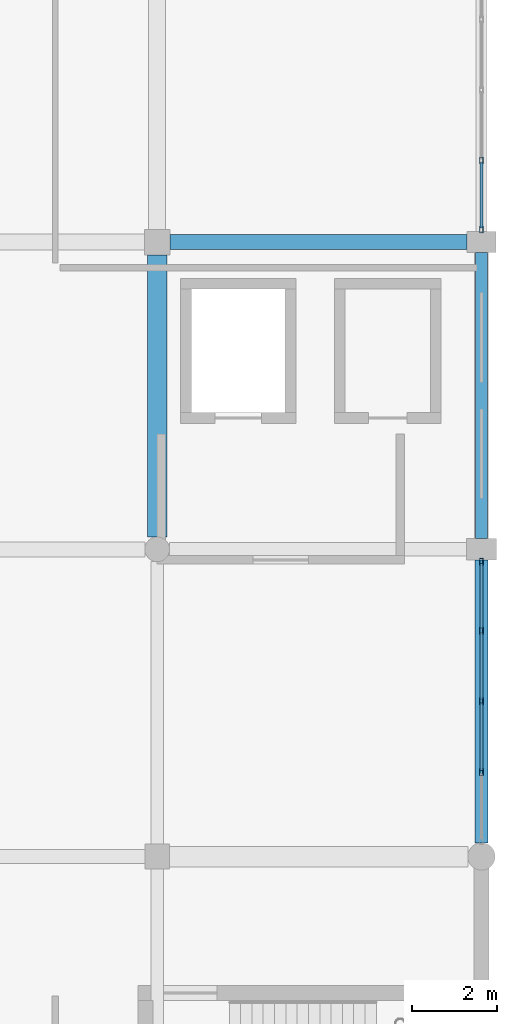
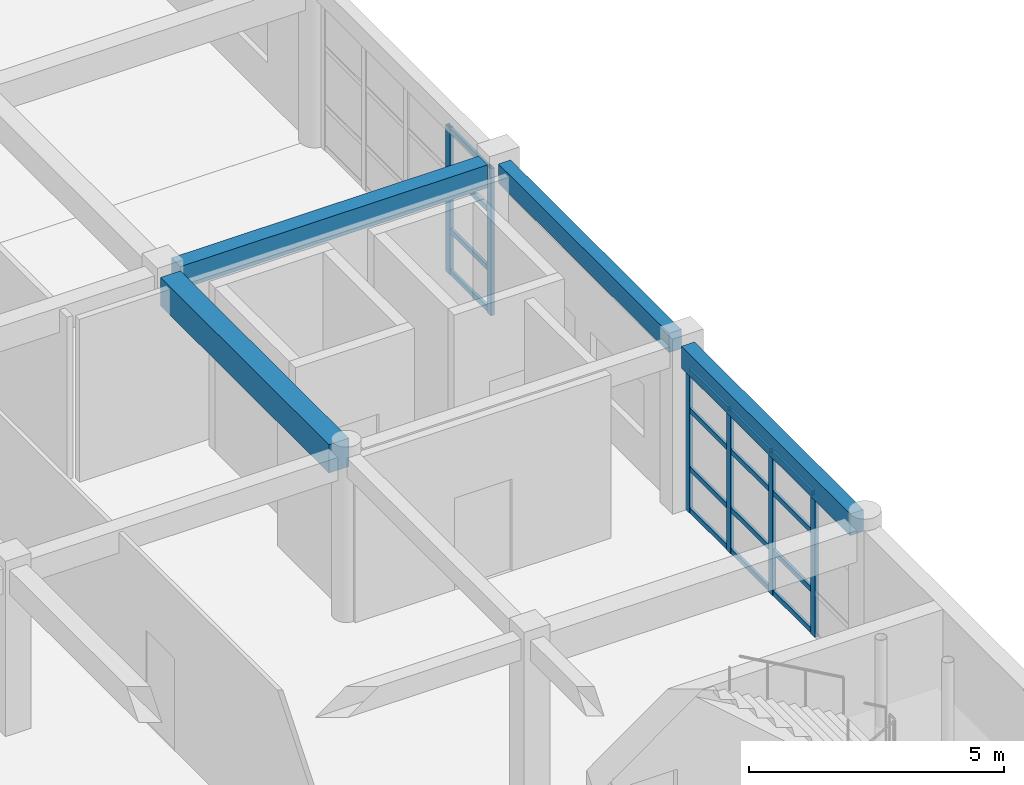
# One storey, part 81 of 121: 22 members, 4 beams, 2 elements without a shape of their own.
"""IFC4 building model written with IfcOpenShell, lengths in metres."""

from ifc_helpers import new_model, si_unit, direction, frame, origin, origin_2d, place, context, subcontext, project, spatial, rectangle, hollow_rectangle, extrude, material, material_profile, profile_set, type_object, element, aggregate, save


model = new_model("IFC4")

# Units and contexts
model_context = context("Model", 3, precision=1e-05, world=origin(), true_north=direction((0.0, 1.0)))
body_context = subcontext(model_context, "Body", "Model", "MODEL_VIEW")
ifc_project = project(units=[si_unit("LENGTHUNIT", "METRE"), si_unit("AREAUNIT", "SQUARE_METRE"), si_unit("VOLUMEUNIT", "CUBIC_METRE"), si_unit("PLANEANGLEUNIT", "RADIAN"), si_unit("MASSUNIT", "GRAM", prefix="KILO")], contexts=[model_context])

# Site, building, storey
site_placement = place(None, origin())
site = spatial("IfcSite", under=ifc_project, at=site_placement, CompositionType="ELEMENT")
building_placement = place(site_placement, origin())
building = spatial("IfcBuilding", under=site, at=building_placement, Name="Kharva Crest Polytechnic", CompositionType="ELEMENT")
storey_placement = place(building_placement, frame((0.0, 0.0, 13.199951171875)))
storey = spatial("IfcBuildingStorey", under=building, at=storey_placement, Name="L03", CompositionType="ELEMENT", Elevation=13.199951171875)

# Beams
ifc_material_1 = material(Name="Concrete C35/45", Category="concrete")
ifc_material_profile_1 = material_profile(ifc_material_1, rectangle(XDim=0.35009765625, YDim=0.550048828125, at=origin_2d()), Name="RECT 350 X 550")
ifc_profile_set_1 = profile_set([ifc_material_profile_1], Name="Concrete C35/45")
beam_type_1 = type_object("IfcBeamType", Name="BM-RC-350X550", PredefinedType="BEAM", material=ifc_profile_set_1)
beam_1_placement = place(storey_placement, frame((176.699951171875, 93.199951171875, 3.68505859375), z_axis=(1.0, 0.0, 0.0), x_axis=(0.0, 1.0, 0.0)))
element("IfcBeam", 1, at=beam_1_placement, inside=storey, type_object=beam_type_1, Name="L03 Beam N/23-24", PredefinedType="BEAM", context=body_context, shape_type="SweptSolid", body=[
    extrude(rectangle(XDim=0.35009765625, YDim=0.550048828125, at=origin_2d()), origin(), (0.0, 0.0, 1.0), 6.9599609375),
])
ifc_material_profile_2 = material_profile(ifc_material_1, rectangle(XDim=0.449951171875, YDim=0.679931640625, at=origin_2d()), Name="RECT 450 X 680")
ifc_profile_set_2 = profile_set([ifc_material_profile_2], Name="Concrete C35/45")
beam_type_2 = type_object("IfcBeamType", Name="BM-RC-450X680", PredefinedType="BEAM", material=ifc_profile_set_2)
beam_2_placement = place(storey_placement, frame((176.39990234375, 86.2900390625, 3.6201171875), z_axis=(0.0, 1.0, 0.0), x_axis=(-1.0, 0.0, 0.0)))
element("IfcBeam", 2, at=beam_2_placement, inside=storey, type_object=beam_type_2, Name="L03 Girder 23/M-N", PredefinedType="BEAM", context=body_context, shape_type="SweptSolid", body=[
    extrude(rectangle(XDim=0.449951171875, YDim=0.679931640625, at=origin_2d()), origin(), (0.0, 0.0, 1.0), 6.60986328125),
])

# Curtain wall, members
ifc_material_2 = material(Name="Tempered insulated glass", Category="glass")
curtain_wall_type = type_object("IfcCurtainWallType", Name="CW-SYS-COURT", PredefinedType="USERDEFINED", material=ifc_material_2)
curtain_wall_1_placement = place(storey_placement, origin())
curtain_wall_1 = element("IfcCurtainWall", 3, at=curtain_wall_1_placement, inside=storey, type_object=curtain_wall_type, Name="L03 Glazed Curtain Wall CW-151", ObjectType="CURTAIN WALL", PredefinedType="USERDEFINED")
ifc_material_3 = material(Name="Steel S355", Category="steel")
ifc_material_profile_3 = material_profile(ifc_material_3, hollow_rectangle(XDim=0.080078125, YDim=0.159912109375, WallThickness=0.0048828125, at=origin_2d()), Name="RHS 160X80X5.0")
ifc_profile_set_3 = profile_set([ifc_material_profile_3], Name="Steel S355")
member_type_1 = type_object("IfcMemberType", Name="CWM-RHS160X80", PredefinedType="MULLION", material=ifc_profile_set_3)
member_1_placement = place(storey_placement, frame((184.0, 80.780029296875, 0.0), z_axis=(0.0, 0.0, 1.0), x_axis=(-1.0, 0.0, 0.0)))
member_1 = element("IfcMember", 4, at=member_1_placement, type_object=member_type_1, Name="CW-151 mullion 2", PredefinedType="MULLION", context=body_context, shape_type="SweptSolid", body=[
    extrude(hollow_rectangle(XDim=0.080078125, YDim=0.159912109375, WallThickness=0.0048828125, at=origin_2d()), origin(), (0.0, 0.0, 1.0), 3.43994140625),
])
member_2_placement = place(storey_placement, frame((184.0, 82.43505859375, 0.0), z_axis=(0.0, 0.0, 1.0), x_axis=(-1.0, 0.0, 0.0)))
member_2 = element("IfcMember", 5, at=member_2_placement, type_object=member_type_1, Name="CW-151 mullion 3", PredefinedType="MULLION", context=body_context, shape_type="SweptSolid", body=[
    extrude(hollow_rectangle(XDim=0.080078125, YDim=0.159912109375, WallThickness=0.0048828125, at=origin_2d()), origin(), (0.0, 0.0, 1.0), 3.43994140625),
])
member_3_placement = place(storey_placement, frame((184.0, 84.090087890625, 0.0), z_axis=(0.0, 0.0, 1.0), x_axis=(-1.0, 0.0, 0.0)))
member_3 = element("IfcMember", 6, at=member_3_placement, type_object=member_type_1, Name="CW-151 mullion 4", PredefinedType="MULLION", context=body_context, shape_type="SweptSolid", body=[
    extrude(hollow_rectangle(XDim=0.080078125, YDim=0.159912109375, WallThickness=0.0048828125, at=origin_2d()), origin(), (0.0, 0.0, 1.0), 3.43994140625),
])
member_4_placement = place(storey_placement, frame((184.0, 85.705078125, 0.0), z_axis=(0.0, 0.0, 1.0), x_axis=(-1.0, 0.0, 0.0)))
member_4 = element("IfcMember", 7, at=member_4_placement, type_object=member_type_1, Name="CW-151 mullion 5", PredefinedType="MULLION", context=body_context, shape_type="SweptSolid", body=[
    extrude(hollow_rectangle(XDim=0.080078125, YDim=0.159912109375, WallThickness=0.0048828125, at=origin_2d()), origin(), (0.0, 0.0, 1.0), 3.43994140625),
])

curtain_wall_2_placement = place(storey_placement, origin())
curtain_wall_2 = element("IfcCurtainWall", 8, at=curtain_wall_2_placement, inside=storey, type_object=curtain_wall_type, Name="L03 Glazed Curtain Wall CW-152", ObjectType="CURTAIN WALL", PredefinedType="USERDEFINED")
member_5_placement = place(storey_placement, frame((184.0, 93.4951171875, 0.0), z_axis=(0.0, 0.0, 1.0), x_axis=(-1.0, 0.0, 0.0)))
member_5 = element("IfcMember", 9, at=member_5_placement, type_object=member_type_1, Name="CW-152 mullion 1", PredefinedType="MULLION", context=body_context, shape_type="SweptSolid", body=[
    extrude(hollow_rectangle(XDim=0.080078125, YDim=0.159912109375, WallThickness=0.0048828125, at=origin_2d()), origin(), (0.0, 0.0, 1.0), 3.52001953125),
])
member_6_placement = place(storey_placement, frame((184.0, 95.110107421875, 0.0), z_axis=(0.0, 0.0, 1.0), x_axis=(-1.0, 0.0, 0.0)))
member_6 = element("IfcMember", 10, at=member_6_placement, type_object=member_type_1, Name="CW-152 mullion 2", PredefinedType="MULLION", context=body_context, shape_type="SweptSolid", body=[
    extrude(hollow_rectangle(XDim=0.080078125, YDim=0.159912109375, WallThickness=0.0048828125, at=origin_2d()), origin(), (0.0, 0.0, 1.0), 3.52001953125),
])

# Member
ifc_material_profile_4 = material_profile(ifc_material_3, hollow_rectangle(XDim=0.06005859375, YDim=0.1201171875, WallThickness=0.00390625, at=origin_2d()), Name="RHS 120X60X4.0")
ifc_profile_set_4 = profile_set([ifc_material_profile_4], Name="Steel S355")
member_type_2 = type_object("IfcMemberType", Name="CWT-RHS120X60", PredefinedType="USERDEFINED", material=ifc_profile_set_4)
member_7_placement = place(storey_placement, frame((184.0, 80.820068359375, 0.06005859375), z_axis=(0.0, 1.0, 0.0), x_axis=(-1.0, 0.0, 0.0)))
member_7 = element("IfcMember", 11, at=member_7_placement, type_object=member_type_2, Name="CW-151 transom 2.1", ObjectType="TRANSOM", PredefinedType="USERDEFINED", context=body_context, shape_type="SweptSolid", body=[
    extrude(hollow_rectangle(XDim=0.06005859375, YDim=0.1201171875, WallThickness=0.00390625, at=origin_2d()), origin(), (0.0, 0.0, 1.0), 1.574951171875),
])

member_8_placement = place(storey_placement, frame((184.0, 80.820068359375, 1.050048828125), z_axis=(0.0, 1.0, 0.0), x_axis=(-1.0, 0.0, 0.0)))
member_8 = element("IfcMember", 12, at=member_8_placement, type_object=member_type_2, Name="CW-151 transom 2.2", ObjectType="TRANSOM", PredefinedType="USERDEFINED", context=body_context, shape_type="SweptSolid", body=[
    extrude(hollow_rectangle(XDim=0.06005859375, YDim=0.1201171875, WallThickness=0.00390625, at=origin_2d()), origin(), (0.0, 0.0, 1.0), 1.574951171875),
])

member_9_placement = place(storey_placement, frame((184.0, 80.820068359375, 2.449951171875), z_axis=(0.0, 1.0, 0.0), x_axis=(-1.0, 0.0, 0.0)))
member_9 = element("IfcMember", 13, at=member_9_placement, type_object=member_type_2, Name="CW-151 transom 2.3", ObjectType="TRANSOM", PredefinedType="USERDEFINED", context=body_context, shape_type="SweptSolid", body=[
    extrude(hollow_rectangle(XDim=0.06005859375, YDim=0.1201171875, WallThickness=0.00390625, at=origin_2d()), origin(), (0.0, 0.0, 1.0), 1.574951171875),
])

member_10_placement = place(storey_placement, frame((184.0, 80.820068359375, 3.380126953125), z_axis=(0.0, 1.0, 0.0), x_axis=(-1.0, 0.0, 0.0)))
member_10 = element("IfcMember", 14, at=member_10_placement, type_object=member_type_2, Name="CW-151 transom 2.4", ObjectType="TRANSOM", PredefinedType="USERDEFINED", context=body_context, shape_type="SweptSolid", body=[
    extrude(hollow_rectangle(XDim=0.06005859375, YDim=0.1201171875, WallThickness=0.00390625, at=origin_2d()), origin(), (0.0, 0.0, 1.0), 1.574951171875),
])

member_11_placement = place(storey_placement, frame((184.0, 82.47509765625, 0.06005859375), z_axis=(0.0, 1.0, 0.0), x_axis=(-1.0, 0.0, 0.0)))
member_11 = element("IfcMember", 15, at=member_11_placement, type_object=member_type_2, Name="CW-151 transom 3.1", ObjectType="TRANSOM", PredefinedType="USERDEFINED", context=body_context, shape_type="SweptSolid", body=[
    extrude(hollow_rectangle(XDim=0.06005859375, YDim=0.1201171875, WallThickness=0.00390625, at=origin_2d()), origin(), (0.0, 0.0, 1.0), 1.574951171875),
])

member_12_placement = place(storey_placement, frame((184.0, 82.47509765625, 1.050048828125), z_axis=(0.0, 1.0, 0.0), x_axis=(-1.0, 0.0, 0.0)))
member_12 = element("IfcMember", 16, at=member_12_placement, type_object=member_type_2, Name="CW-151 transom 3.2", ObjectType="TRANSOM", PredefinedType="USERDEFINED", context=body_context, shape_type="SweptSolid", body=[
    extrude(hollow_rectangle(XDim=0.06005859375, YDim=0.1201171875, WallThickness=0.00390625, at=origin_2d()), origin(), (0.0, 0.0, 1.0), 1.574951171875),
])

member_13_placement = place(storey_placement, frame((184.0, 82.47509765625, 2.449951171875), z_axis=(0.0, 1.0, 0.0), x_axis=(-1.0, 0.0, 0.0)))
member_13 = element("IfcMember", 17, at=member_13_placement, type_object=member_type_2, Name="CW-151 transom 3.3", ObjectType="TRANSOM", PredefinedType="USERDEFINED", context=body_context, shape_type="SweptSolid", body=[
    extrude(hollow_rectangle(XDim=0.06005859375, YDim=0.1201171875, WallThickness=0.00390625, at=origin_2d()), origin(), (0.0, 0.0, 1.0), 1.574951171875),
])

member_14_placement = place(storey_placement, frame((184.0, 82.47509765625, 3.380126953125), z_axis=(0.0, 1.0, 0.0), x_axis=(-1.0, 0.0, 0.0)))
member_14 = element("IfcMember", 18, at=member_14_placement, type_object=member_type_2, Name="CW-151 transom 3.4", ObjectType="TRANSOM", PredefinedType="USERDEFINED", context=body_context, shape_type="SweptSolid", body=[
    extrude(hollow_rectangle(XDim=0.06005859375, YDim=0.1201171875, WallThickness=0.00390625, at=origin_2d()), origin(), (0.0, 0.0, 1.0), 1.574951171875),
])

member_15_placement = place(storey_placement, frame((184.0, 84.1298828125, 0.06005859375), z_axis=(0.0, 1.0, 0.0), x_axis=(-1.0, 0.0, 0.0)))
member_15 = element("IfcMember", 19, at=member_15_placement, type_object=member_type_2, Name="CW-151 transom 4.1", ObjectType="TRANSOM", PredefinedType="USERDEFINED", context=body_context, shape_type="SweptSolid", body=[
    extrude(hollow_rectangle(XDim=0.06005859375, YDim=0.1201171875, WallThickness=0.00390625, at=origin_2d()), origin(), (0.0, 0.0, 1.0), 1.53515625),
])

member_16_placement = place(storey_placement, frame((184.0, 84.1298828125, 1.050048828125), z_axis=(0.0, 1.0, 0.0), x_axis=(-1.0, 0.0, 0.0)))
member_16 = element("IfcMember", 20, at=member_16_placement, type_object=member_type_2, Name="CW-151 transom 4.2", ObjectType="TRANSOM", PredefinedType="USERDEFINED", context=body_context, shape_type="SweptSolid", body=[
    extrude(hollow_rectangle(XDim=0.06005859375, YDim=0.1201171875, WallThickness=0.00390625, at=origin_2d()), origin(), (0.0, 0.0, 1.0), 1.53515625),
])

member_17_placement = place(storey_placement, frame((184.0, 84.1298828125, 2.449951171875), z_axis=(0.0, 1.0, 0.0), x_axis=(-1.0, 0.0, 0.0)))
member_17 = element("IfcMember", 21, at=member_17_placement, type_object=member_type_2, Name="CW-151 transom 4.3", ObjectType="TRANSOM", PredefinedType="USERDEFINED", context=body_context, shape_type="SweptSolid", body=[
    extrude(hollow_rectangle(XDim=0.06005859375, YDim=0.1201171875, WallThickness=0.00390625, at=origin_2d()), origin(), (0.0, 0.0, 1.0), 1.53515625),
])

member_18_placement = place(storey_placement, frame((184.0, 84.1298828125, 3.380126953125), z_axis=(0.0, 1.0, 0.0), x_axis=(-1.0, 0.0, 0.0)))
member_18 = element("IfcMember", 22, at=member_18_placement, type_object=member_type_2, Name="CW-151 transom 4.4", ObjectType="TRANSOM", PredefinedType="USERDEFINED", context=body_context, shape_type="SweptSolid", body=[
    extrude(hollow_rectangle(XDim=0.06005859375, YDim=0.1201171875, WallThickness=0.00390625, at=origin_2d()), origin(), (0.0, 0.0, 1.0), 1.53515625),
])

aggregate(curtain_wall_1, [member_1, member_2, member_3, member_4, member_7, member_8, member_9, member_10, member_11, member_12, member_13, member_14, member_15, member_16, member_17, member_18])

member_19_placement = place(storey_placement, frame((184.0, 93.534912109375, 0.06005859375), z_axis=(0.0, 1.0, 0.0), x_axis=(-1.0, 0.0, 0.0)))
member_19 = element("IfcMember", 23, at=member_19_placement, type_object=member_type_2, Name="CW-152 transom 1.1", ObjectType="TRANSOM", PredefinedType="USERDEFINED", context=body_context, shape_type="SweptSolid", body=[
    extrude(hollow_rectangle(XDim=0.06005859375, YDim=0.1201171875, WallThickness=0.00390625, at=origin_2d()), origin(), (0.0, 0.0, 1.0), 1.53515625),
])

member_20_placement = place(storey_placement, frame((184.0, 93.534912109375, 1.050048828125), z_axis=(0.0, 1.0, 0.0), x_axis=(-1.0, 0.0, 0.0)))
member_20 = element("IfcMember", 24, at=member_20_placement, type_object=member_type_2, Name="CW-152 transom 1.2", ObjectType="TRANSOM", PredefinedType="USERDEFINED", context=body_context, shape_type="SweptSolid", body=[
    extrude(hollow_rectangle(XDim=0.06005859375, YDim=0.1201171875, WallThickness=0.00390625, at=origin_2d()), origin(), (0.0, 0.0, 1.0), 1.53515625),
])

member_21_placement = place(storey_placement, frame((184.0, 93.534912109375, 2.449951171875), z_axis=(0.0, 1.0, 0.0), x_axis=(-1.0, 0.0, 0.0)))
member_21 = element("IfcMember", 25, at=member_21_placement, type_object=member_type_2, Name="CW-152 transom 1.3", ObjectType="TRANSOM", PredefinedType="USERDEFINED", context=body_context, shape_type="SweptSolid", body=[
    extrude(hollow_rectangle(XDim=0.06005859375, YDim=0.1201171875, WallThickness=0.00390625, at=origin_2d()), origin(), (0.0, 0.0, 1.0), 1.53515625),
])

member_22_placement = place(storey_placement, frame((184.0, 93.534912109375, 3.4599609375), z_axis=(0.0, 1.0, 0.0), x_axis=(-1.0, 0.0, 0.0)))
member_22 = element("IfcMember", 26, at=member_22_placement, type_object=member_type_2, Name="CW-152 transom 1.4", ObjectType="TRANSOM", PredefinedType="USERDEFINED", context=body_context, shape_type="SweptSolid", body=[
    extrude(hollow_rectangle(XDim=0.06005859375, YDim=0.1201171875, WallThickness=0.00390625, at=origin_2d()), origin(), (0.0, 0.0, 1.0), 1.53515625),
])

aggregate(curtain_wall_2, [member_5, member_6, member_19, member_20, member_21, member_22])

# Beams
ifc_material_profile_5 = material_profile(ifc_material_1, rectangle(XDim=0.280029296875, YDim=0.4599609375, at=origin_2d()), Name="RECT 280 X 460")
ifc_profile_set_5 = profile_set([ifc_material_profile_5], Name="Concrete C35/45")
beam_type_3 = type_object("IfcBeamType", Name="SP-RC-280X460", PredefinedType="SPANDREL", material=ifc_profile_set_5)
beam_3_placement = place(storey_placement, frame((184.0, 86.25, 3.72998046875), z_axis=(0.0, 1.0, 0.0), x_axis=(-1.0, 0.0, 0.0)))
element("IfcBeam", 27, at=beam_3_placement, inside=storey, type_object=beam_type_3, Name="L03 Girder 24/M-N", PredefinedType="SPANDREL", context=body_context, shape_type="SweptSolid", body=[
    extrude(rectangle(XDim=0.280029296875, YDim=0.4599609375, at=origin_2d()), origin(), (0.0, 0.0, 1.0), 6.699951171875),
])
ifc_material_profile_6 = material_profile(ifc_material_1, rectangle(XDim=0.300048828125, YDim=0.52001953125, at=origin_2d()), Name="RECT 300 X 520")
ifc_profile_set_6 = profile_set([ifc_material_profile_6], Name="Concrete C35/45")
beam_type_4 = type_object("IfcBeamType", Name="SP-RC-300X520", PredefinedType="SPANDREL", material=ifc_profile_set_6)
beam_4_placement = place(storey_placement, frame((184.0, 79.1201171875, 3.699951171875), z_axis=(0.0, 1.0, 0.0), x_axis=(-1.0, 0.0, 0.0)))
element("IfcBeam", 28, at=beam_4_placement, inside=storey, type_object=beam_type_4, Name="L03 Girder 24/L-M", PredefinedType="SPANDREL", context=body_context, shape_type="SweptSolid", body=[
    extrude(rectangle(XDim=0.300048828125, YDim=0.52001953125, at=origin_2d()), origin(), (0.0, 0.0, 1.0), 6.6298828125),
])

save(model, "model.ifc")
